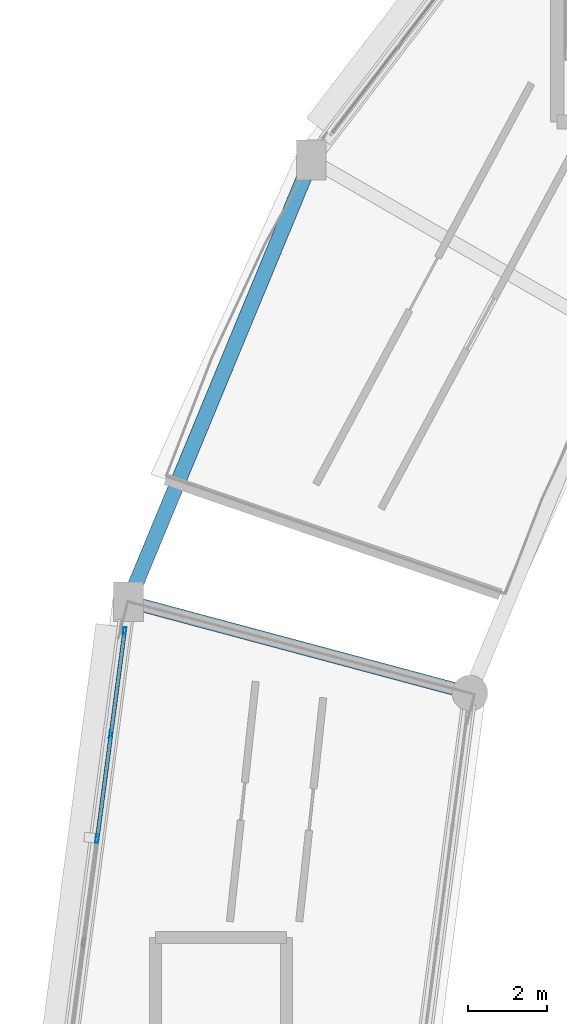
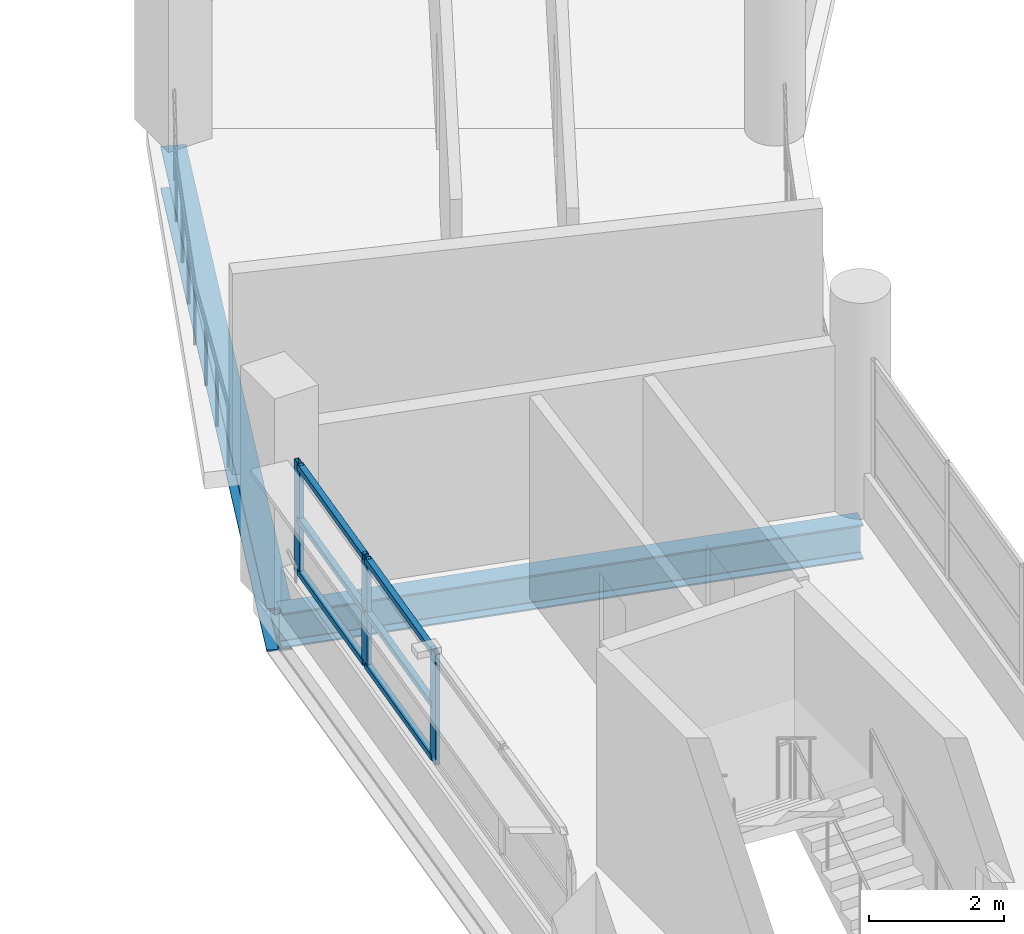
# One storey, part 31 of 88: 9 members, 2 beams, 1 element without a shape of its own.
"""IFC4 building model written with IfcOpenShell, lengths in metres."""

from ifc_helpers import new_model, si_unit, direction, frame, origin, origin_2d, place, context, subcontext, project, spatial, hollow_rectangle, i_section, extrude, material, layer, layer_set, material_profile, profile_set, type_object, element, aggregate, save


model = new_model("IFC4")

# Units and contexts
model_context = context("Model", 3, precision=1e-05, world=origin(), true_north=direction((0.0, 1.0)))
body_context = subcontext(model_context, "Body", "Model", "MODEL_VIEW")
ifc_project = project(units=[si_unit("LENGTHUNIT", "METRE"), si_unit("AREAUNIT", "SQUARE_METRE"), si_unit("VOLUMEUNIT", "CUBIC_METRE"), si_unit("PLANEANGLEUNIT", "RADIAN"), si_unit("MASSUNIT", "GRAM", prefix="KILO")], contexts=[model_context])

# Site, building, storey
site_placement = place(None, origin())
site = spatial("IfcSite", under=ifc_project, at=site_placement, CompositionType="ELEMENT")
building_placement = place(site_placement, origin())
building = spatial("IfcBuilding", under=site, at=building_placement, Name="Vespera Passage Community Centre", CompositionType="ELEMENT")
storey_placement = place(building_placement, frame((0.0, 0.0, 16.5)))
storey = spatial("IfcBuildingStorey", under=building, at=storey_placement, Name="L04", CompositionType="ELEMENT", Elevation=16.5)

# Beams
ifc_material_1 = material(Name="Steel ASTM A992 Grade 50", Category="steel")
ifc_material_profile_1 = material_profile(ifc_material_1, i_section(OverallWidth=0.32763671875, OverallDepth=0.62841796875, WebThickness=0.0166015625, FlangeThickness=0.027587890625, FilletRadius=0.0126953125, at=origin_2d()), Name="W24X146")
ifc_profile_set_1 = profile_set([ifc_material_profile_1], Name="Steel ASTM A992 Grade 50")
beam_type_1 = type_object("IfcBeamType", Name="BM-G-W24X146", PredefinedType="BEAM", material=ifc_profile_set_1)
beam_1_placement = place(storey_placement, frame((42.067626953125, 75.128173828125, -0.6142578125), z_axis=(-0.9659278487, 0.258811497245, 0.0), x_axis=(-0.258811497245, -0.9659278487, 0.0)))
element("IfcBeam", 1, at=beam_1_placement, inside=storey, type_object=beam_type_1, Name="V4 L04 Radial Girder 11", PredefinedType="BEAM", context=body_context, shape_type="SweptSolid", body=[
    extrude(i_section(OverallWidth=0.32763671875, OverallDepth=0.62841796875, WebThickness=0.0166015625, FlangeThickness=0.027587890625, FilletRadius=0.0126953125, at=origin_2d()), origin(), (0.0, 0.0, 1.0), 8.900146484375),
])
ifc_material_2 = material(Name="Steel ASTM A992 Grade 50", Category="steel")
ifc_material_profile_2 = material_profile(ifc_material_2, i_section(OverallWidth=0.382080078125, OverallDepth=0.779296875, WebThickness=0.01806640625, FlangeThickness=0.030029296875, FilletRadius=0.0166015625, at=origin_2d()), Name="W30X191")
ifc_profile_set_2 = profile_set([ifc_material_profile_2], Name="Steel ASTM A992 Grade 50")
beam_type_2 = type_object("IfcBeamType", Name="BM-SP-W30X191E", PredefinedType="SPANDREL", material=ifc_profile_set_2)
beam_2_placement = place(storey_placement, frame((38.076171875, 88.550048828125, -0.689697265625), z_axis=(-0.382688629799, -0.923877379647, 0.0), x_axis=(0.923877379647, -0.382688629799, 0.0)))
element("IfcBeam", 2, at=beam_2_placement, inside=storey, type_object=beam_type_2, Name="V4 L04 Outer Spandrel 10", PredefinedType="SPANDREL", context=body_context, shape_type="SweptSolid", body=[
    extrude(i_section(OverallWidth=0.382080078125, OverallDepth=0.779296875, WebThickness=0.01806640625, FlangeThickness=0.030029296875, FilletRadius=0.0166015625, at=origin_2d()), origin(), (0.0, 0.0, 1.0), 12.034423828125),
])

# Curtain wall, members
ifc_material_3 = material(Name="Anodized aluminium 6063-T6", Category="aluminium")
ifc_layer = layer(ifc_material_3, 0.159912109375)
ifc_layer_set = layer_set([ifc_layer], Name="Anodized aluminium 6063-T6")
curtain_wall_type = type_object("IfcCurtainWallType", Name="CW-63E", PredefinedType="NOTDEFINED", material=ifc_layer_set)
curtain_wall_placement = place(storey_placement, origin())
curtain_wall = element("IfcCurtainWall", 3, at=curtain_wall_placement, inside=storey, type_object=curtain_wall_type, Name="V4 L04 Outer Ribbon Curtain Wall 11", PredefinedType="NOTDEFINED")
ifc_material_4 = material(Name="Anodized aluminium 6063-T6", Category="aluminium")
ifc_material_profile_3 = material_profile(ifc_material_4, hollow_rectangle(XDim=0.074951171875, YDim=0.2099609375, WallThickness=0.0048828125, InnerFilletRadius=0.00244140625, OuterFilletRadius=0.0048828125, at=origin_2d()), Name="ALU210X75X5")
ifc_profile_set_3 = profile_set([ifc_material_profile_3], Name="Anodized aluminium 6063-T6")
member_type_1 = type_object("IfcMemberType", Name="MB-CWM-210E", PredefinedType="MULLION", material=ifc_profile_set_3)
member_1_placement = place(storey_placement, frame((32.685302734375, 71.4658203125, 0.820068359375), z_axis=(0.0, 0.0, 1.0), x_axis=(-0.991445298818, 0.130522869458, 0.0)))
member_1 = element("IfcMember", 4, at=member_1_placement, type_object=member_type_1, Name="CW-63E mullion 3", PredefinedType="MULLION", context=body_context, shape_type="SweptSolid", body=[
    extrude(hollow_rectangle(XDim=0.074951171875, YDim=0.2099609375, WallThickness=0.0048828125, InnerFilletRadius=0.00244140625, OuterFilletRadius=0.0048828125, at=origin_2d()), origin(), (0.0, 0.0, 1.0), 2.005615234375),
])
member_2_placement = place(storey_placement, frame((33.03125, 74.092041015625, 0.820068359375), z_axis=(0.0, 0.0, 1.0), x_axis=(-0.991445298818, 0.130522869458, 0.0)))
member_2 = element("IfcMember", 5, at=member_2_placement, type_object=member_type_1, Name="CW-63E mullion 4", PredefinedType="MULLION", context=body_context, shape_type="SweptSolid", body=[
    extrude(hollow_rectangle(XDim=0.074951171875, YDim=0.2099609375, WallThickness=0.0048828125, InnerFilletRadius=0.00244140625, OuterFilletRadius=0.0048828125, at=origin_2d()), origin(), (0.0, 0.0, 1.0), 2.005615234375),
])
member_3_placement = place(storey_placement, frame((33.3720703125, 76.68115234375, 0.820068359375), z_axis=(0.0, 0.0, 1.0), x_axis=(-0.991445298818, 0.130522869458, 0.0)))
member_3 = element("IfcMember", 6, at=member_3_placement, type_object=member_type_1, Name="CW-63E mullion 5", PredefinedType="MULLION", context=body_context, shape_type="SweptSolid", body=[
    extrude(hollow_rectangle(XDim=0.074951171875, YDim=0.2099609375, WallThickness=0.0048828125, InnerFilletRadius=0.00244140625, OuterFilletRadius=0.0048828125, at=origin_2d()), origin(), (0.0, 0.0, 1.0), 2.005615234375),
])
ifc_material_5 = material(Name="Anodized aluminium 6063-T6", Category="aluminium")
ifc_material_profile_4 = material_profile(ifc_material_5, hollow_rectangle(XDim=0.10009765625, YDim=0.10009765625, WallThickness=0.00390625, InnerFilletRadius=0.001953125, OuterFilletRadius=0.00390625, at=origin_2d()), Name="ALU100X100X4")
ifc_profile_set_4 = profile_set([ifc_material_profile_4], Name="Anodized aluminium 6063-T6")
member_type_2 = type_object("IfcMemberType", Name="MB-CWT-100E", PredefinedType="USERDEFINED", material=ifc_profile_set_4)
member_4_placement = place(storey_placement, frame((32.690185546875, 71.5029296875, 0.8701171875), z_axis=(0.130604174191, 0.991434591733, 0.0), x_axis=(-0.991434591733, 0.130604174191, 0.0)))
member_4 = element("IfcMember", 7, at=member_4_placement, type_object=member_type_2, Name="CW-63E transom 3.1", ObjectType="TRANSOM", PredefinedType="USERDEFINED", context=body_context, shape_type="SweptSolid", body=[
    extrude(hollow_rectangle(XDim=0.10009765625, YDim=0.10009765625, WallThickness=0.00390625, InnerFilletRadius=0.001953125, OuterFilletRadius=0.00390625, at=origin_2d()), origin(), (0.0, 0.0, 1.0), 2.573974609375),
])
member_5_placement = place(storey_placement, frame((32.690185546875, 71.5029296875, 1.82275390625), z_axis=(0.130604174191, 0.991434591733, 0.0), x_axis=(-0.991434591733, 0.130604174191, 0.0)))
member_5 = element("IfcMember", 8, at=member_5_placement, type_object=member_type_2, Name="CW-63E transom 3.2", ObjectType="TRANSOM", PredefinedType="USERDEFINED", context=body_context, shape_type="SweptSolid", body=[
    extrude(hollow_rectangle(XDim=0.10009765625, YDim=0.10009765625, WallThickness=0.00390625, InnerFilletRadius=0.001953125, OuterFilletRadius=0.00390625, at=origin_2d()), origin(), (0.0, 0.0, 1.0), 2.573974609375),
])
member_6_placement = place(storey_placement, frame((32.690185546875, 71.5029296875, 2.775634765625), z_axis=(0.130604174191, 0.991434591733, 0.0), x_axis=(-0.991434591733, 0.130604174191, 0.0)))
member_6 = element("IfcMember", 9, at=member_6_placement, type_object=member_type_2, Name="CW-63E transom 3.3", ObjectType="TRANSOM", PredefinedType="USERDEFINED", context=body_context, shape_type="SweptSolid", body=[
    extrude(hollow_rectangle(XDim=0.10009765625, YDim=0.10009765625, WallThickness=0.00390625, InnerFilletRadius=0.001953125, OuterFilletRadius=0.00390625, at=origin_2d()), origin(), (0.0, 0.0, 1.0), 2.573974609375),
])
member_7_placement = place(storey_placement, frame((33.0361328125, 74.12939453125, 0.8701171875), z_axis=(0.130524231271, 0.991445119536, 0.0), x_axis=(-0.991445119536, 0.130524231271, 0.0)))
member_7 = element("IfcMember", 10, at=member_7_placement, type_object=member_type_2, Name="CW-63E transom 4.1", ObjectType="TRANSOM", PredefinedType="USERDEFINED", context=body_context, shape_type="SweptSolid", body=[
    extrude(hollow_rectangle(XDim=0.10009765625, YDim=0.10009765625, WallThickness=0.00390625, InnerFilletRadius=0.001953125, OuterFilletRadius=0.00390625, at=origin_2d()), origin(), (0.0, 0.0, 1.0), 2.536376953125),
])
member_8_placement = place(storey_placement, frame((33.0361328125, 74.12939453125, 1.82275390625), z_axis=(0.130524231271, 0.991445119536, 0.0), x_axis=(-0.991445119536, 0.130524231271, 0.0)))
member_8 = element("IfcMember", 11, at=member_8_placement, type_object=member_type_2, Name="CW-63E transom 4.2", ObjectType="TRANSOM", PredefinedType="USERDEFINED", context=body_context, shape_type="SweptSolid", body=[
    extrude(hollow_rectangle(XDim=0.10009765625, YDim=0.10009765625, WallThickness=0.00390625, InnerFilletRadius=0.001953125, OuterFilletRadius=0.00390625, at=origin_2d()), origin(), (0.0, 0.0, 1.0), 2.536376953125),
])
member_9_placement = place(storey_placement, frame((33.0361328125, 74.12939453125, 2.775634765625), z_axis=(0.130524231271, 0.991445119536, 0.0), x_axis=(-0.991445119536, 0.130524231271, 0.0)))
member_9 = element("IfcMember", 12, at=member_9_placement, type_object=member_type_2, Name="CW-63E transom 4.3", ObjectType="TRANSOM", PredefinedType="USERDEFINED", context=body_context, shape_type="SweptSolid", body=[
    extrude(hollow_rectangle(XDim=0.10009765625, YDim=0.10009765625, WallThickness=0.00390625, InnerFilletRadius=0.001953125, OuterFilletRadius=0.00390625, at=origin_2d()), origin(), (0.0, 0.0, 1.0), 2.536376953125),
])
aggregate(curtain_wall, [member_1, member_2, member_3, member_4, member_5, member_6, member_7, member_8, member_9])

save(model, "model.ifc")
